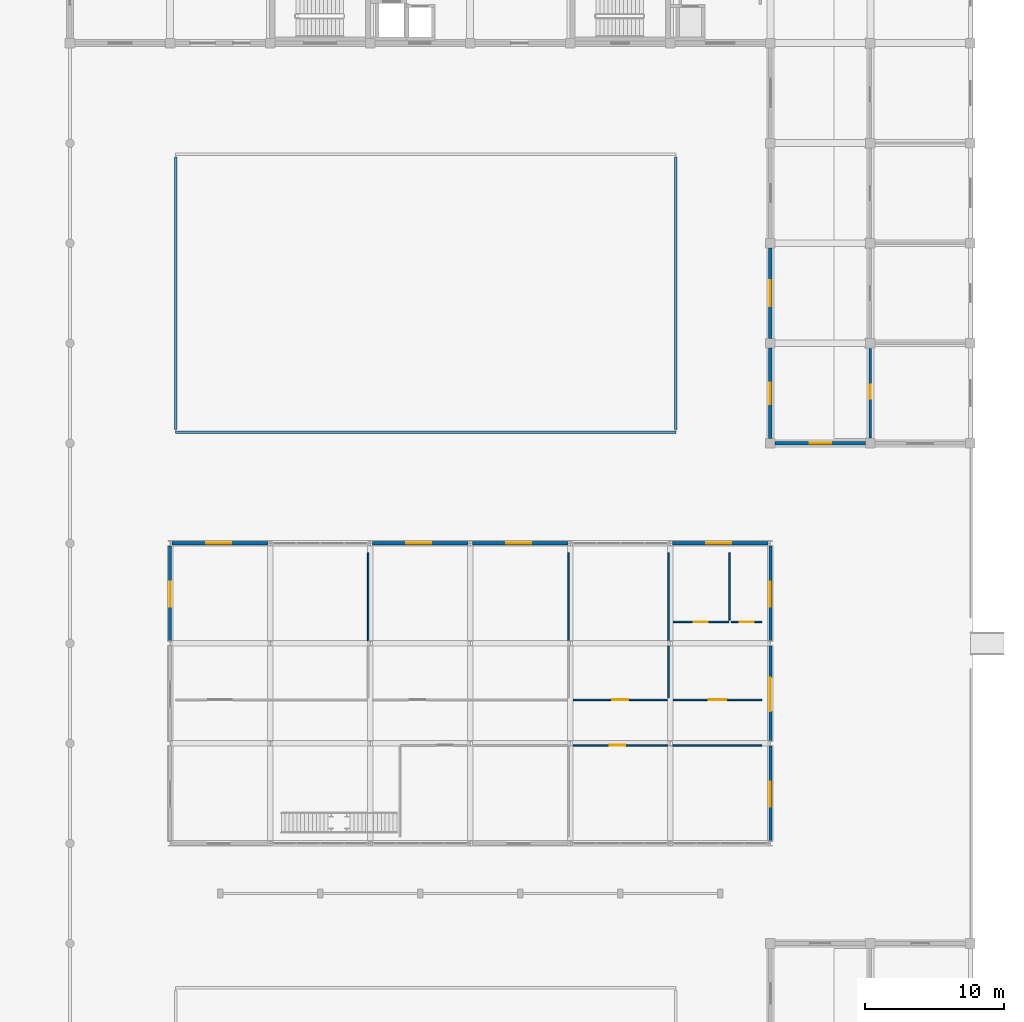
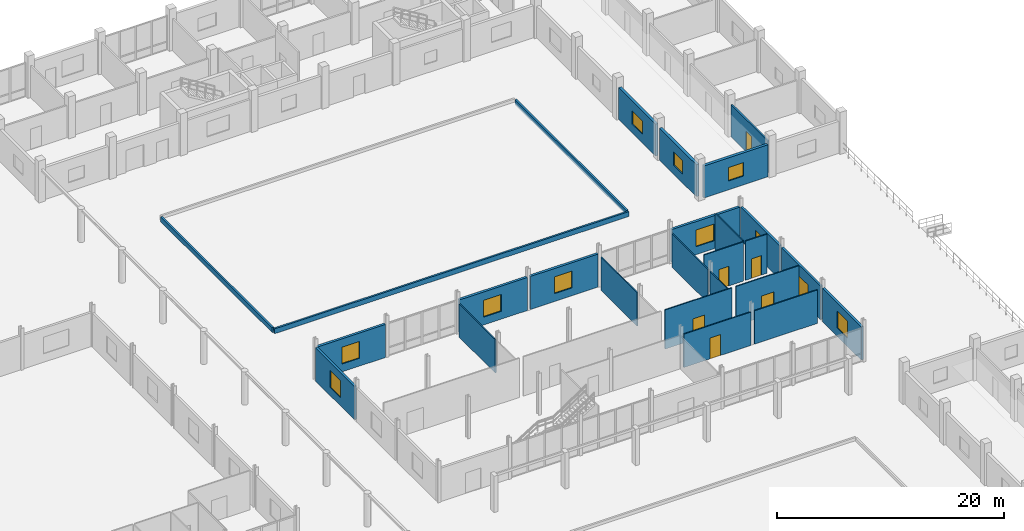
# One storey, part 123 of 139: 26 walls, 10 windows, 7 doors, 17 openings.
"""IFC4 building model written with IfcOpenShell, lengths in metres."""

from ifc_helpers import new_model, si_unit, direction, frame, frame_2d, origin, place, context, subcontext, project, spatial, rectangle, extrude, material, layer, layer_set, type_object, element, fill, save


model = new_model("IFC4")

# Units and contexts
model_context = context("Model", 3, precision=1e-05, world=origin(), true_north=direction((0.0, 1.0)))
body_context = subcontext(model_context, "Body", "Model", "MODEL_VIEW")
ifc_project = project(units=[si_unit("LENGTHUNIT", "METRE"), si_unit("AREAUNIT", "SQUARE_METRE"), si_unit("VOLUMEUNIT", "CUBIC_METRE"), si_unit("PLANEANGLEUNIT", "RADIAN"), si_unit("MASSUNIT", "GRAM", prefix="KILO")], contexts=[model_context])

# Site, building, storey
site_placement = place(None, origin())
site = spatial("IfcSite", under=ifc_project, at=site_placement, CompositionType="ELEMENT")
building_placement = place(site_placement, origin())
building = spatial("IfcBuilding", under=site, at=building_placement, Name="Suanplinth Sawtooth Commons", CompositionType="ELEMENT")
storey_placement = place(building_placement, origin())
storey = spatial("IfcBuildingStorey", under=building, at=storey_placement, Name="L00", CompositionType="ELEMENT", Elevation=0.0)

# Wall, opening, window
ifc_material_1 = material(Name="Precast concrete C40/50", Category="concrete")
ifc_layer_1 = layer(ifc_material_1, 0.280029296875, Name="Insulated precast architectural facade wall 280mm")
ifc_layer_set_1 = layer_set([ifc_layer_1], Name="Precast concrete C40/50")
wall_type_1 = type_object("IfcWallType", Name="W-EX01", PredefinedType="ELEMENTEDWALL", material=ifc_layer_set_1)
wall_1_placement = place(storey_placement, frame((173.14990234375, 79.199951171875, 0.0), z_axis=(0.0, 0.0, 1.0), x_axis=(1.0, 0.0, 0.0)))
wall_1 = element("IfcWall", 1, at=wall_1_placement, inside=storey, type_object=wall_type_1, Name="Facade Wall W-L00-B-S-24-11", PredefinedType="ELEMENTEDWALL", context=body_context, shape_type="SweptSolid", body=[
    extrude(rectangle(XDim=6.5, YDim=0.280029296875, at=frame_2d((3.25, 0.0))), origin(), (0.0, 0.0, 1.0), 3.43505859375),
])
opening_1_placement = place(wall_1_placement, frame((2.47509765625, 0.0, 0.949951171875)))
opening_1 = element("IfcOpeningElement", 2, at=opening_1_placement, cuts=wall_1, Name="Opening W0109", PredefinedType="OPENING", context=body_context, shape_type="SweptSolid", body=[
    extrude(rectangle(XDim=1.550048828125, YDim=1.449951171875, at=frame_2d((0.77490234375, 0.72509765625))), frame((0.0, 0.15478515625, 0.0), z_axis=(0.0, -1.0, 0.0), x_axis=(1.0, 0.0, 0.0)), (0.0, 0.0, 1.0), 0.309814453125),
])
ifc_material_2 = material(Name="Thermally broken aluminium and low-E double glazing", Category="aluminium")
window_type_1 = type_object("IfcWindowType", Name="WN-22", PartitioningType="DOUBLE_PANEL_VERTICAL", PredefinedType="WINDOW", material=ifc_material_2)
window_1_placement = place(opening_1_placement, origin())
window_1 = element("IfcWindow", 3, at=window_1_placement, inside=storey, type_object=window_type_1, Name="Window L00-B-S-24-11", OverallHeight=1.449951171875, OverallWidth=1.550048828125, PartitioningType="DOUBLE_PANEL_VERTICAL", PredefinedType="WINDOW", context=body_context, shape_type="SweptSolid", body=[
    extrude(rectangle(XDim=1.550048828125, YDim=1.449951171875, at=frame_2d((0.77490234375, 0.72509765625))), frame((0.0, 0.030029296875, 0.0), z_axis=(0.0, -1.0, 0.0), x_axis=(1.0, 0.0, 0.0)), (0.0, 0.0, 1.0), 0.06005859375),
])
fill(opening_1, window_1)

wall_2_placement = place(storey_placement, frame((172.800048828125, 79.550048828125, 0.0), z_axis=(0.0, 0.0, 1.0), x_axis=(0.0, 1.0, 0.0)))
wall_2 = element("IfcWall", 4, at=wall_2_placement, inside=storey, type_object=wall_type_1, Name="Facade Wall W-L00-B-W-24-11", PredefinedType="ELEMENTEDWALL", context=body_context, shape_type="SweptSolid", body=[
    extrude(rectangle(XDim=6.5, YDim=0.280029296875, at=frame_2d((3.25, 0.0))), origin(), (0.0, 0.0, 1.0), 3.43505859375),
])
opening_2_placement = place(wall_2_placement, frame((2.47509765625, 0.0, 0.949951171875)))
opening_2 = element("IfcOpeningElement", 5, at=opening_2_placement, cuts=wall_2, Name="Opening W0110", PredefinedType="OPENING", context=body_context, shape_type="SweptSolid", body=[
    extrude(rectangle(XDim=1.550048828125, YDim=1.449951171875, at=frame_2d((0.77490234375, 0.72509765625))), frame((0.0, 0.15478515625, 0.0), z_axis=(0.0, -1.0, 0.0), x_axis=(1.0, 0.0, 0.0)), (0.0, 0.0, 1.0), 0.309814453125),
])
window_2_placement = place(opening_2_placement, origin())
window_2 = element("IfcWindow", 6, at=window_2_placement, inside=storey, type_object=window_type_1, Name="Window L00-B-W-24-11", OverallHeight=1.449951171875, OverallWidth=1.550048828125, PartitioningType="DOUBLE_PANEL_VERTICAL", PredefinedType="WINDOW", context=body_context, shape_type="SweptSolid", body=[
    extrude(rectangle(XDim=1.550048828125, YDim=1.449951171875, at=frame_2d((0.77490234375, 0.72509765625))), frame((0.0, 0.030029296875, 0.0), z_axis=(0.0, -1.0, 0.0), x_axis=(1.0, 0.0, 0.0)), (0.0, 0.0, 1.0), 0.06005859375),
])
fill(opening_2, window_2)

wall_3_placement = place(storey_placement, frame((172.800048828125, 86.75, 0.0), z_axis=(0.0, 0.0, 1.0), x_axis=(0.0, 1.0, 0.0)))
wall_3 = element("IfcWall", 7, at=wall_3_placement, inside=storey, type_object=wall_type_1, Name="Facade Wall W-L00-B-W-24-12", PredefinedType="ELEMENTEDWALL", context=body_context, shape_type="SweptSolid", body=[
    extrude(rectangle(XDim=6.5, YDim=0.280029296875, at=frame_2d((3.25, 0.0))), origin(), (0.0, 0.0, 1.0), 3.43505859375),
])
opening_3_placement = place(wall_3_placement, frame((2.324951171875, 0.0, 0.949951171875)))
opening_3 = element("IfcOpeningElement", 8, at=opening_3_placement, cuts=wall_3, Name="Opening W0111", PredefinedType="OPENING", context=body_context, shape_type="SweptSolid", body=[
    extrude(rectangle(XDim=1.85009765625, YDim=1.39990234375, at=frame_2d((0.925048828125, 0.699951171875))), frame((0.0, 0.15478515625, 0.0), z_axis=(0.0, -1.0, 0.0), x_axis=(1.0, 0.0, 0.0)), (0.0, 0.0, 1.0), 0.309814453125),
])
window_type_2 = type_object("IfcWindowType", Name="WN-23", PartitioningType="DOUBLE_PANEL_VERTICAL", PredefinedType="WINDOW", material=ifc_material_2)
window_3_placement = place(opening_3_placement, origin())
window_3 = element("IfcWindow", 9, at=window_3_placement, inside=storey, type_object=window_type_2, Name="Window L00-B-W-24-12", OverallHeight=1.39990234375, OverallWidth=1.85009765625, PartitioningType="DOUBLE_PANEL_VERTICAL", PredefinedType="WINDOW", context=body_context, shape_type="SweptSolid", body=[
    extrude(rectangle(XDim=1.85009765625, YDim=1.39990234375, at=frame_2d((0.925048828125, 0.699951171875))), frame((0.0, 0.030029296875, 0.0), z_axis=(0.0, -1.0, 0.0), x_axis=(1.0, 0.0, 0.0)), (0.0, 0.0, 1.0), 0.06005859375),
])
fill(opening_3, window_3)

ifc_material_3 = material(Name="Autoclaved aerated concrete masonry", Category="masonry")
ifc_layer_2 = layer(ifc_material_3, 0.25, Name="Rendered AAC tropical cavity wall 250mm")
ifc_layer_set_2 = layer_set([ifc_layer_2], Name="Autoclaved aerated concrete masonry")
wall_type_2 = type_object("IfcWallType", Name="W-EX04", PredefinedType="SOLIDWALL", material=ifc_layer_set_2)
wall_4_placement = place(storey_placement, frame((129.75, 72.0, 0.0), z_axis=(0.0, 0.0, 1.0), x_axis=(1.0, 0.0, 0.0)))
wall_4 = element("IfcWall", 10, at=wall_4_placement, inside=storey, type_object=wall_type_2, Name="Nursery North Wall L00-18", PredefinedType="SOLIDWALL", context=body_context, shape_type="SweptSolid", body=[
    extrude(rectangle(XDim=6.89990234375, YDim=0.25, at=frame_2d((3.449951171875, 0.0))), origin(), (0.0, 0.0, 1.0), 3.550048828125),
])
opening_4_placement = place(wall_4_placement, frame((2.449951171875, 0.0, 0.85009765625)))
opening_4 = element("IfcOpeningElement", 11, at=opening_4_placement, cuts=wall_4, Name="Opening W0026", PredefinedType="OPENING", context=body_context, shape_type="SweptSolid", body=[
    extrude(rectangle(XDim=1.800048828125, YDim=1.800048828125, at=frame_2d((0.89990234375, 0.89990234375))), frame((0.0, 0.139892578125, 0.0), z_axis=(0.0, -1.0, 0.0), x_axis=(1.0, 0.0, 0.0)), (0.0, 0.0, 1.0), 0.27978515625),
])
window_type_3 = type_object("IfcWindowType", Name="WN-07", PartitioningType="DOUBLE_PANEL_VERTICAL", PredefinedType="WINDOW", material=ifc_material_2)
window_4_placement = place(opening_4_placement, origin())
window_4 = element("IfcWindow", 12, at=window_4_placement, inside=storey, type_object=window_type_3, Name="Nursery North Window 18", OverallHeight=1.800048828125, OverallWidth=1.800048828125, PartitioningType="DOUBLE_PANEL_VERTICAL", PredefinedType="WINDOW", context=body_context, shape_type="SweptSolid", body=[
    extrude(rectangle(XDim=1.800048828125, YDim=1.800048828125, at=frame_2d((0.89990234375, 0.89990234375))), frame((0.0, 0.030029296875, 0.0), z_axis=(0.0, -1.0, 0.0), x_axis=(1.0, 0.0, 0.0)), (0.0, 0.0, 1.0), 0.06005859375),
])
fill(opening_4, window_4)

wall_5_placement = place(storey_placement, frame((144.14990234375, 72.0, 0.0), z_axis=(0.0, 0.0, 1.0), x_axis=(1.0, 0.0, 0.0)))
wall_5 = element("IfcWall", 13, at=wall_5_placement, inside=storey, type_object=wall_type_2, Name="Nursery North Wall L00-20", PredefinedType="SOLIDWALL", context=body_context, shape_type="SweptSolid", body=[
    extrude(rectangle(XDim=6.900146484375, YDim=0.25, at=frame_2d((3.4501953125, 0.0))), origin(), (0.0, 0.0, 1.0), 3.550048828125),
])
opening_5_placement = place(wall_5_placement, frame((2.449951171875, 0.0, 0.85009765625)))
opening_5 = element("IfcOpeningElement", 14, at=opening_5_placement, cuts=wall_5, Name="Opening W0031", PredefinedType="OPENING", context=body_context, shape_type="SweptSolid", body=[
    extrude(rectangle(XDim=1.800048828125, YDim=1.800048828125, at=frame_2d((0.89990234375, 0.89990234375))), frame((0.0, 0.139892578125, 0.0), z_axis=(0.0, -1.0, 0.0), x_axis=(1.0, 0.0, 0.0)), (0.0, 0.0, 1.0), 0.27978515625),
])
window_5_placement = place(opening_5_placement, origin())
window_5 = element("IfcWindow", 15, at=window_5_placement, inside=storey, type_object=window_type_3, Name="Nursery North Window 20", OverallHeight=1.800048828125, OverallWidth=1.800048828125, PartitioningType="DOUBLE_PANEL_VERTICAL", PredefinedType="WINDOW", context=body_context, shape_type="SweptSolid", body=[
    extrude(rectangle(XDim=1.800048828125, YDim=1.800048828125, at=frame_2d((0.89990234375, 0.89990234375))), frame((0.0, 0.030029296875, 0.0), z_axis=(0.0, -1.0, 0.0), x_axis=(1.0, 0.0, 0.0)), (0.0, 0.0, 1.0), 0.06005859375),
])
fill(opening_5, window_5)

wall_6_placement = place(storey_placement, frame((151.35009765625, 72.0, 0.0), z_axis=(0.0, 0.0, 1.0), x_axis=(1.0, 0.0, 0.0)))
wall_6 = element("IfcWall", 16, at=wall_6_placement, inside=storey, type_object=wall_type_2, Name="Nursery North Wall L00-21", PredefinedType="SOLIDWALL", context=body_context, shape_type="SweptSolid", body=[
    extrude(rectangle(XDim=6.89990234375, YDim=0.25, at=frame_2d((3.449951171875, 0.0))), origin(), (0.0, 0.0, 1.0), 3.550048828125),
])
opening_6_placement = place(wall_6_placement, frame((2.449951171875, 0.0, 0.85009765625)))
opening_6 = element("IfcOpeningElement", 17, at=opening_6_placement, cuts=wall_6, Name="Opening W0034", PredefinedType="OPENING", context=body_context, shape_type="SweptSolid", body=[
    extrude(rectangle(XDim=1.800048828125, YDim=1.800048828125, at=frame_2d((0.89990234375, 0.89990234375))), frame((0.0, 0.139892578125, 0.0), z_axis=(0.0, -1.0, 0.0), x_axis=(1.0, 0.0, 0.0)), (0.0, 0.0, 1.0), 0.27978515625),
])
window_6_placement = place(opening_6_placement, origin())
window_6 = element("IfcWindow", 18, at=window_6_placement, inside=storey, type_object=window_type_3, Name="Nursery North Window 21", OverallHeight=1.800048828125, OverallWidth=1.800048828125, PartitioningType="DOUBLE_PANEL_VERTICAL", PredefinedType="WINDOW", context=body_context, shape_type="SweptSolid", body=[
    extrude(rectangle(XDim=1.800048828125, YDim=1.800048828125, at=frame_2d((0.89990234375, 0.89990234375))), frame((0.0, 0.030029296875, 0.0), z_axis=(0.0, -1.0, 0.0), x_axis=(1.0, 0.0, 0.0)), (0.0, 0.0, 1.0), 0.06005859375),
])
fill(opening_6, window_6)

wall_7_placement = place(storey_placement, frame((165.75, 72.0, 0.0), z_axis=(0.0, 0.0, 1.0), x_axis=(1.0, 0.0, 0.0)))
wall_7 = element("IfcWall", 19, at=wall_7_placement, inside=storey, type_object=wall_type_2, Name="Nursery North Wall L00-23", PredefinedType="SOLIDWALL", context=body_context, shape_type="SweptSolid", body=[
    extrude(rectangle(XDim=6.89990234375, YDim=0.25, at=frame_2d((3.449951171875, 0.0))), origin(), (0.0, 0.0, 1.0), 3.550048828125),
])
opening_7_placement = place(wall_7_placement, frame((2.449951171875, 0.0, 0.85009765625)))
opening_7 = element("IfcOpeningElement", 20, at=opening_7_placement, cuts=wall_7, Name="Opening W0039", PredefinedType="OPENING", context=body_context, shape_type="SweptSolid", body=[
    extrude(rectangle(XDim=1.800048828125, YDim=1.800048828125, at=frame_2d((0.89990234375, 0.89990234375))), frame((0.0, 0.139892578125, 0.0), z_axis=(0.0, -1.0, 0.0), x_axis=(1.0, 0.0, 0.0)), (0.0, 0.0, 1.0), 0.27978515625),
])
window_7_placement = place(opening_7_placement, origin())
window_7 = element("IfcWindow", 21, at=window_7_placement, inside=storey, type_object=window_type_3, Name="Nursery North Window 23", OverallHeight=1.800048828125, OverallWidth=1.800048828125, PartitioningType="DOUBLE_PANEL_VERTICAL", PredefinedType="WINDOW", context=body_context, shape_type="SweptSolid", body=[
    extrude(rectangle(XDim=1.800048828125, YDim=1.800048828125, at=frame_2d((0.89990234375, 0.89990234375))), frame((0.0, 0.030029296875, 0.0), z_axis=(0.0, -1.0, 0.0), x_axis=(1.0, 0.0, 0.0)), (0.0, 0.0, 1.0), 0.06005859375),
])
fill(opening_7, window_7)

ifc_layer_3 = layer(ifc_material_1, 0.219970703125, Name="Civic pavilion insulated facade wall 220mm")
ifc_layer_set_3 = layer_set([ifc_layer_3], Name="Precast concrete C40/50")
wall_type_3 = type_object("IfcWallType", Name="W-EX05", PredefinedType="ELEMENTEDWALL", material=ifc_layer_set_3)
wall_8_placement = place(storey_placement, frame((172.800048828125, 50.580078125, 0.0), z_axis=(0.0, 0.0, 1.0), x_axis=(0.0, 1.0, 0.0)))
wall_8 = element("IfcWall", 22, at=wall_8_placement, inside=storey, type_object=wall_type_3, Name="Nursery E Wall L00-7", PredefinedType="ELEMENTEDWALL", context=body_context, shape_type="SweptSolid", body=[
    extrude(rectangle(XDim=6.83984375, YDim=0.219970703125, at=frame_2d((3.419921875, 0.0))), origin(), (0.0, 0.0, 1.0), 3.5849609375),
])
opening_8_placement = place(wall_8_placement, frame((2.449951171875, 0.0, 0.89990234375)))
opening_8 = element("IfcOpeningElement", 23, at=opening_8_placement, cuts=wall_8, Name="Opening W0044", PredefinedType="OPENING", context=body_context, shape_type="SweptSolid", body=[
    extrude(rectangle(XDim=1.800048828125, YDim=1.800048828125, at=frame_2d((0.89990234375, 0.89990234375))), frame((0.0, 0.125, 0.0), z_axis=(0.0, -1.0, 0.0), x_axis=(1.0, 0.0, 0.0)), (0.0, 0.0, 1.0), 0.249755859375),
])
window_8_placement = place(opening_8_placement, origin())
window_8 = element("IfcWindow", 24, at=window_8_placement, inside=storey, type_object=window_type_3, Name="Nursery E Window L00-7", OverallHeight=1.800048828125, OverallWidth=1.800048828125, PartitioningType="DOUBLE_PANEL_VERTICAL", PredefinedType="WINDOW", context=body_context, shape_type="SweptSolid", body=[
    extrude(rectangle(XDim=1.800048828125, YDim=1.800048828125, at=frame_2d((0.89990234375, 0.89990234375))), frame((0.0, 0.030029296875, 0.0), z_axis=(0.0, -1.0, 0.0), x_axis=(1.0, 0.0, 0.0)), (0.0, 0.0, 1.0), 0.06005859375),
])
fill(opening_8, window_8)

# Wall, opening, door
wall_9_placement = place(storey_placement, frame((172.800048828125, 57.780029296875, 0.0), z_axis=(0.0, 0.0, 1.0), x_axis=(0.0, 1.0, 0.0)))
wall_9 = element("IfcWall", 25, at=wall_9_placement, inside=storey, type_object=wall_type_3, Name="Nursery E Wall L00-8", PredefinedType="ELEMENTEDWALL", context=body_context, shape_type="SweptSolid", body=[
    extrude(rectangle(XDim=6.840087890625, YDim=0.219970703125, at=frame_2d((3.419921875, 0.0))), origin(), (0.0, 0.0, 1.0), 3.5849609375),
])
opening_9_placement = place(wall_9_placement, frame((2.14990234375, 0.0, 0.0)))
opening_9 = element("IfcOpeningElement", 26, at=opening_9_placement, cuts=wall_9, Name="Opening G0011", PredefinedType="OPENING", context=body_context, shape_type="SweptSolid", body=[
    extrude(rectangle(XDim=2.39990234375, YDim=2.39990234375, at=frame_2d((1.199951171875, 1.199951171875))), frame((0.0, 0.125, 0.0), z_axis=(0.0, -1.0, 0.0), x_axis=(1.0, 0.0, 0.0)), (0.0, 0.0, 1.0), 0.249755859375),
])
ifc_material_4 = material(Name="Powder-coated architectural steel", Category="steel")
door_type_1 = type_object("IfcDoorType", Name="VG-05", OperationType="DOUBLE_DOOR_SINGLE_SWING", PredefinedType="GATE", material=ifc_material_4)
door_1_placement = place(opening_9_placement, frame((2.39990234375, 0.0, 0.0), z_axis=(0.0, 0.0, 1.0), x_axis=(-1.0, 0.0, 0.0)))
door_1 = element("IfcDoor", 27, at=door_1_placement, inside=storey, type_object=door_type_1, Name="Nursery Play-Yard Gate", OperationType="DOUBLE_DOOR_SINGLE_SWING", OverallHeight=2.39990234375, OverallWidth=2.39990234375, PredefinedType="GATE", context=body_context, shape_type="SweptSolid", body=[
    extrude(rectangle(XDim=2.39990234375, YDim=2.39990234375, at=frame_2d((1.199951171875, 1.199951171875))), frame((0.0, 0.02490234375, 0.0), z_axis=(0.0, -1.0, 0.0), x_axis=(1.0, 0.0, 0.0)), (0.0, 0.0, 1.0), 0.050048828125),
])
fill(opening_9, door_1)

# Wall, opening, window
wall_10_placement = place(storey_placement, frame((129.60009765625, 64.97998046875, 0.0), z_axis=(0.0, 0.0, 1.0), x_axis=(0.0, 1.0, 0.0)))
wall_10 = element("IfcWall", 28, at=wall_10_placement, inside=storey, type_object=wall_type_3, Name="Nursery W Wall L00-9", PredefinedType="ELEMENTEDWALL", context=body_context, shape_type="SweptSolid", body=[
    extrude(rectangle(XDim=6.840087890625, YDim=0.219970703125, at=frame_2d((3.419921875, 0.0))), origin(), (0.0, 0.0, 1.0), 3.5849609375),
])
opening_10_placement = place(wall_10_placement, frame((2.449951171875, 0.0, 0.89990234375)))
opening_10 = element("IfcOpeningElement", 29, at=opening_10_placement, cuts=wall_10, Name="Opening W0049", PredefinedType="OPENING", context=body_context, shape_type="SweptSolid", body=[
    extrude(rectangle(XDim=1.800048828125, YDim=1.800048828125, at=frame_2d((0.89990234375, 0.89990234375))), frame((0.0, 0.125, 0.0), z_axis=(0.0, -1.0, 0.0), x_axis=(1.0, 0.0, 0.0)), (0.0, 0.0, 1.0), 0.249755859375),
])
window_9_placement = place(opening_10_placement, origin())
window_9 = element("IfcWindow", 30, at=window_9_placement, inside=storey, type_object=window_type_3, Name="Nursery W Window L00-9", OverallHeight=1.800048828125, OverallWidth=1.800048828125, PartitioningType="DOUBLE_PANEL_VERTICAL", PredefinedType="WINDOW", context=body_context, shape_type="SweptSolid", body=[
    extrude(rectangle(XDim=1.800048828125, YDim=1.800048828125, at=frame_2d((0.89990234375, 0.89990234375))), frame((0.0, 0.030029296875, 0.0), z_axis=(0.0, -1.0, 0.0), x_axis=(1.0, 0.0, 0.0)), (0.0, 0.0, 1.0), 0.06005859375),
])
fill(opening_10, window_9)

wall_11_placement = place(storey_placement, frame((172.800048828125, 64.97998046875, 0.0), z_axis=(0.0, 0.0, 1.0), x_axis=(0.0, 1.0, 0.0)))
wall_11 = element("IfcWall", 31, at=wall_11_placement, inside=storey, type_object=wall_type_3, Name="Nursery E Wall L00-9", PredefinedType="ELEMENTEDWALL", context=body_context, shape_type="SweptSolid", body=[
    extrude(rectangle(XDim=6.840087890625, YDim=0.219970703125, at=frame_2d((3.419921875, 0.0))), origin(), (0.0, 0.0, 1.0), 3.5849609375),
])
opening_11_placement = place(wall_11_placement, frame((2.449951171875, 0.0, 0.89990234375)))
opening_11 = element("IfcOpeningElement", 32, at=opening_11_placement, cuts=wall_11, Name="Opening W0051", PredefinedType="OPENING", context=body_context, shape_type="SweptSolid", body=[
    extrude(rectangle(XDim=1.800048828125, YDim=1.800048828125, at=frame_2d((0.89990234375, 0.89990234375))), frame((0.0, 0.125, 0.0), z_axis=(0.0, -1.0, 0.0), x_axis=(1.0, 0.0, 0.0)), (0.0, 0.0, 1.0), 0.249755859375),
])
window_10_placement = place(opening_11_placement, origin())
window_10 = element("IfcWindow", 33, at=window_10_placement, inside=storey, type_object=window_type_3, Name="Nursery E Window L00-9", OverallHeight=1.800048828125, OverallWidth=1.800048828125, PartitioningType="DOUBLE_PANEL_VERTICAL", PredefinedType="WINDOW", context=body_context, shape_type="SweptSolid", body=[
    extrude(rectangle(XDim=1.800048828125, YDim=1.800048828125, at=frame_2d((0.89990234375, 0.89990234375))), frame((0.0, 0.030029296875, 0.0), z_axis=(0.0, -1.0, 0.0), x_axis=(1.0, 0.0, 0.0)), (0.0, 0.0, 1.0), 0.06005859375),
])
fill(opening_11, window_10)

# Wall, opening, door
ifc_layer_4 = layer(ifc_material_1, 0.159912109375, Name="Fire-rated corridor and lobby wall 160mm")
ifc_layer_set_4 = layer_set([ifc_layer_4], Name="Precast concrete C40/50")
wall_type_4 = type_object("IfcWallType", Name="W-FW01", PredefinedType="PARTITIONING", material=ifc_layer_set_4)
wall_12_placement = place(storey_placement, frame((180.0, 79.580078125, 0.0), z_axis=(0.0, 0.0, 1.0), x_axis=(0.0, 1.0, 0.0)))
wall_12 = element("IfcWall", 34, at=wall_12_placement, inside=storey, type_object=wall_type_4, Name="W-B-L00-GROUNDROOM-25-COR", PredefinedType="PARTITIONING", context=body_context, shape_type="SweptSolid", body=[
    extrude(rectangle(XDim=6.43994140625, YDim=0.159912109375, at=frame_2d((3.219970703125, 0.0))), origin(), (0.0, 0.0, 1.0), 3.43505859375),
])
opening_12_placement = place(wall_12_placement, frame((2.820068359375, 0.0, 0.0)))
opening_12 = element("IfcOpeningElement", 35, at=opening_12_placement, cuts=wall_12, Name="Opening FD0495", PredefinedType="OPENING", context=body_context, shape_type="SweptSolid", body=[
    extrude(rectangle(XDim=1.0, YDim=2.14990234375, at=frame_2d((0.5, 1.074951171875))), frame((0.0, 0.0947265625, 0.0), z_axis=(0.0, -1.0, 0.0), x_axis=(1.0, 0.0, 0.0)), (0.0, 0.0, 1.0), 0.189697265625),
])
ifc_material_5 = material(Name="Teak hardwood fire-rated door assembly", Category="wood")
door_type_2 = type_object("IfcDoorType", Name="FD-03", OperationType="NOTDEFINED", PredefinedType="DOOR", material=ifc_material_5)
door_2_placement = place(opening_12_placement, frame((1.0, 0.0, 0.0), z_axis=(0.0, 0.0, 1.0), x_axis=(-1.0, 0.0, 0.0)))
door_2 = element("IfcDoor", 36, at=door_2_placement, inside=storey, type_object=door_type_2, Name="Wing Unit Entrance Door FD0495", OperationType="SINGLE_SWING_LEFT", OverallHeight=2.14990234375, OverallWidth=1.0, PredefinedType="DOOR", context=body_context, shape_type="SweptSolid", body=[
    extrude(rectangle(XDim=1.0, YDim=2.14990234375, at=frame_2d((0.5, 1.074951171875))), frame((0.0, 0.02490234375, 0.0), z_axis=(0.0, -1.0, 0.0), x_axis=(1.0, 0.0, 0.0)), (0.0, 0.0, 1.0), 0.050048828125),
])
fill(opening_12, door_2)

# Walls
ifc_layer_5 = layer(ifc_material_1, 0.179931640625, Name="Terrace & courtyard planter kerb wall 180mm")
ifc_layer_set_5 = layer_set([ifc_layer_5], Name="Precast concrete C40/50")
wall_type_5 = type_object("IfcWallType", Name="W-PR02", PredefinedType="PARAPET", material=ifc_layer_set_5)
wall_13_placement = place(storey_placement, frame((130.0, 80.0, 0.0), z_axis=(0.0, 0.0, 1.0), x_axis=(1.0, 0.0, 0.0)))
element("IfcWall", 37, at=wall_13_placement, inside=storey, type_object=wall_type_5, Name="North-East Courtyard Banyan Shade Garden Kerb S", PredefinedType="PARAPET", context=body_context, shape_type="SweptSolid", body=[
    extrude(rectangle(XDim=36.0, YDim=0.179931640625, at=frame_2d((18.0, 0.0))), origin(), (0.0, 0.0, 1.0), 0.52001953125),
])
for number, where, z_axis, x_axis, name in (
    (38, (130.0, 80.179931640625, 0.0), (0.0, 0.0, 1.0), (0.0, 1.0, 0.0), "North-East Courtyard Banyan Shade Garden Kerb W"),
    (39, (166.0, 80.179931640625, 0.0), (0.0, 0.0, 1.0), (0.0, 1.0, 0.0), "North-East Courtyard Banyan Shade Garden Kerb E"),
):
    element("IfcWall", number, at=place(storey_placement, frame(where, z_axis=z_axis, x_axis=x_axis)), inside=storey, type_object=wall_type_5, Name=name, PredefinedType="PARAPET", context=body_context, shape_type="SweptSolid", body=[
        extrude(rectangle(XDim=19.64013671875, YDim=0.179931640625, at=frame_2d((9.820068359375, 0.0))), origin(), (0.0, 0.0, 1.0), 0.52001953125),
    ])

# Wall, opening, door
ifc_material_6 = material(Name="Gypsum plasterboard on steel stud", Category="steel")
ifc_layer_6 = layer(ifc_material_6, 0.110107421875, Name="Civic classroom and clinic partition 110mm")
ifc_layer_set_6 = layer_set([ifc_layer_6], Name="Gypsum plasterboard on steel stud")
wall_type_6 = type_object("IfcWallType", Name="W-PT04", PredefinedType="PARTITIONING", material=ifc_layer_set_6)
wall_14_placement = place(storey_placement, frame((158.60009765625, 57.4599609375, 0.0), z_axis=(0.0, 0.0, 1.0), x_axis=(1.0, 0.0, 0.0)))
wall_14 = element("IfcWall", 40, at=wall_14_placement, inside=storey, type_object=wall_type_6, Name="W-L00-NURS-TOD2-N-S1", PredefinedType="PARTITIONING", context=body_context, shape_type="SweptSolid", body=[
    extrude(rectangle(XDim=6.81982421875, YDim=0.110107421875, at=frame_2d((3.409912109375, 0.0))), origin(), (0.0, 0.0, 1.0), 3.5849609375),
])
opening_13_placement = place(wall_14_placement, frame((2.64990234375, 0.0, 0.0)))
opening_13 = element("IfcOpeningElement", 41, at=opening_13_placement, cuts=wall_14, Name="Opening D0444", PredefinedType="OPENING", context=body_context, shape_type="SweptSolid", body=[
    extrude(rectangle(XDim=1.10009765625, YDim=2.25, at=frame_2d((0.550048828125, 1.125))), frame((0.0, 0.06982421875, 0.0), z_axis=(0.0, -1.0, 0.0), x_axis=(1.0, 0.0, 0.0)), (0.0, 0.0, 1.0), 0.139892578125),
])
ifc_material_7 = material(Name="Teak hardwood", Category="wood")
door_type_3 = type_object("IfcDoorType", Name="D-06", OperationType="NOTDEFINED", PredefinedType="DOOR", material=ifc_material_7)
door_3_placement = place(opening_13_placement, frame((1.10009765625, 0.0, 0.0), z_axis=(0.0, 0.0, 1.0), x_axis=(-1.0, 0.0, 0.0)))
door_3 = element("IfcDoor", 42, at=door_3_placement, inside=storey, type_object=door_type_3, Name="Civic Room Door D0444", OperationType="SINGLE_SWING_RIGHT", OverallHeight=2.25, OverallWidth=1.10009765625, PredefinedType="DOOR", context=body_context, shape_type="SweptSolid", body=[
    extrude(rectangle(XDim=1.10009765625, YDim=2.25, at=frame_2d((0.550048828125, 1.125))), frame((0.0, 0.02490234375, 0.0), z_axis=(0.0, -1.0, 0.0), x_axis=(1.0, 0.0, 0.0)), (0.0, 0.0, 1.0), 0.050048828125),
])
fill(opening_13, door_3)

# Walls
wall_15_placement = place(storey_placement, frame((165.780029296875, 57.4599609375, 0.0), z_axis=(0.0, 0.0, 1.0), x_axis=(1.0, 0.0, 0.0)))
element("IfcWall", 43, at=wall_15_placement, inside=storey, type_object=wall_type_6, Name="W-L00-NURS-TOD2-N-S2", PredefinedType="PARTITIONING", context=body_context, shape_type="SweptSolid", body=[
    extrude(rectangle(XDim=6.419921875, YDim=0.110107421875, at=frame_2d((3.2099609375, 0.0))), origin(), (0.0, 0.0, 1.0), 3.5849609375),
])
for number, where, z_axis, x_axis, name in (
    (44, (143.860107421875, 64.97998046875, 0.0), (0.0, 0.0, 1.0), (0.0, 1.0, 0.0), "W-L00-NURS-PRE1-E-S2"),
    (45, (158.260009765625, 64.97998046875, 0.0), (0.0, 0.0, 1.0), (0.0, 1.0, 0.0), "W-L00-NURS-PRE2-E-S2"),
):
    element("IfcWall", number, at=place(storey_placement, frame(where, z_axis=z_axis, x_axis=x_axis)), inside=storey, type_object=wall_type_6, Name=name, PredefinedType="PARTITIONING", context=body_context, shape_type="SweptSolid", body=[
        extrude(rectangle(XDim=6.340087890625, YDim=0.110107421875, at=frame_2d((3.169921875, 0.0))), origin(), (0.0, 0.0, 1.0), 3.5849609375),
    ])

# Wall, opening, door
wall_16_placement = place(storey_placement, frame((158.60009765625, 60.739990234375, 0.0), z_axis=(0.0, 0.0, 1.0), x_axis=(1.0, 0.0, 0.0)))
wall_16 = element("IfcWall", 46, at=wall_16_placement, inside=storey, type_object=wall_type_6, Name="W-L00-NURS-NAP-S", PredefinedType="PARTITIONING", context=body_context, shape_type="SweptSolid", body=[
    extrude(rectangle(XDim=6.7998046875, YDim=0.110107421875, at=frame_2d((3.39990234375, 0.0))), origin(), (0.0, 0.0, 1.0), 4.199951171875),
])
opening_14_placement = place(wall_16_placement, frame((2.81005859375, 0.0, 0.0)))
opening_14 = element("IfcOpeningElement", 47, at=opening_14_placement, cuts=wall_16, Name="Opening D0447", PredefinedType="OPENING", context=body_context, shape_type="SweptSolid", body=[
    extrude(rectangle(XDim=1.179931640625, YDim=2.25, at=frame_2d((0.58984375, 1.125))), frame((0.0, 0.06982421875, 0.0), z_axis=(0.0, -1.0, 0.0), x_axis=(1.0, 0.0, 0.0)), (0.0, 0.0, 1.0), 0.139892578125),
])
door_type_4 = type_object("IfcDoorType", Name="D-20", OperationType="NOTDEFINED", PredefinedType="DOOR", material=ifc_material_7)
door_4_placement = place(opening_14_placement, origin())
door_4 = element("IfcDoor", 48, at=door_4_placement, inside=storey, type_object=door_type_4, Name="Civic Room Door D0447", OperationType="SINGLE_SWING_RIGHT", OverallHeight=2.25, OverallWidth=1.179931640625, PredefinedType="DOOR", context=body_context, shape_type="SweptSolid", body=[
    extrude(rectangle(XDim=1.179931640625, YDim=2.25, at=frame_2d((0.58984375, 1.125))), frame((0.0, 0.02490234375, 0.0), z_axis=(0.0, -1.0, 0.0), x_axis=(1.0, 0.0, 0.0)), (0.0, 0.0, 1.0), 0.050048828125),
])
fill(opening_14, door_4)

# Walls
wall_17_placement = place(storey_placement, frame((165.4599609375, 60.8798828125, 0.0), z_axis=(0.0, 0.0, 1.0), x_axis=(0.0, 1.0, 0.0)))
element("IfcWall", 49, at=wall_17_placement, inside=storey, type_object=wall_type_6, Name="W-L00-NURS-NAP-E-S1", PredefinedType="PARTITIONING", context=body_context, shape_type="SweptSolid", body=[
    extrude(rectangle(XDim=3.740234375, YDim=0.110107421875, at=frame_2d((1.8701171875, 0.0))), origin(), (0.0, 0.0, 1.0), 3.5849609375),
])
wall_18_placement = place(storey_placement, frame((165.4599609375, 64.97998046875, 0.0), z_axis=(0.0, 0.0, 1.0), x_axis=(0.0, 1.0, 0.0)))
element("IfcWall", 50, at=wall_18_placement, inside=storey, type_object=wall_type_6, Name="W-L00-NURS-NAP-E-S2", PredefinedType="PARTITIONING", context=body_context, shape_type="SweptSolid", body=[
    extrude(rectangle(XDim=6.340087890625, YDim=0.110107421875, at=frame_2d((3.169921875, 0.0))), origin(), (0.0, 0.0, 1.0), 3.5849609375),
])

# Wall, opening, door
wall_19_placement = place(storey_placement, frame((165.800048828125, 60.739990234375, 0.0), z_axis=(0.0, 0.0, 1.0), x_axis=(1.0, 0.0, 0.0)))
wall_19 = element("IfcWall", 51, at=wall_19_placement, inside=storey, type_object=wall_type_6, Name="W-L00-NURS-MILK-S", PredefinedType="PARTITIONING", context=body_context, shape_type="SweptSolid", body=[
    extrude(rectangle(XDim=6.39990234375, YDim=0.110107421875, at=frame_2d((3.199951171875, 0.0))), origin(), (0.0, 0.0, 1.0), 4.199951171875),
])
opening_15_placement = place(wall_19_placement, frame((2.56005859375, 0.0, 0.0)))
opening_15 = element("IfcOpeningElement", 52, at=opening_15_placement, cuts=wall_19, Name="Opening D0448", PredefinedType="OPENING", context=body_context, shape_type="SweptSolid", body=[
    extrude(rectangle(XDim=1.280029296875, YDim=2.280029296875, at=frame_2d((0.64013671875, 1.14013671875))), frame((0.0, 0.06982421875, 0.0), z_axis=(0.0, -1.0, 0.0), x_axis=(1.0, 0.0, 0.0)), (0.0, 0.0, 1.0), 0.139892578125),
])
door_type_5 = type_object("IfcDoorType", Name="D-21", OperationType="NOTDEFINED", PredefinedType="DOOR", material=ifc_material_7)
door_5_placement = place(opening_15_placement, origin())
door_5 = element("IfcDoor", 53, at=door_5_placement, inside=storey, type_object=door_type_5, Name="Civic Room Door D0448", OperationType="SINGLE_SWING_LEFT", OverallHeight=2.280029296875, OverallWidth=1.280029296875, PredefinedType="DOOR", context=body_context, shape_type="SweptSolid", body=[
    extrude(rectangle(XDim=1.280029296875, YDim=2.280029296875, at=frame_2d((0.64013671875, 1.14013671875))), frame((0.0, 0.02490234375, 0.0), z_axis=(0.0, -1.0, 0.0), x_axis=(1.0, 0.0, 0.0)), (0.0, 0.0, 1.0), 0.050048828125),
])
fill(opening_15, door_5)

wall_20_placement = place(storey_placement, frame((165.800048828125, 66.340087890625, 0.0), z_axis=(0.0, 0.0, 1.0), x_axis=(1.0, 0.0, 0.0)))
wall_20 = element("IfcWall", 54, at=wall_20_placement, inside=storey, type_object=wall_type_6, Name="W-L00-NURS-WCKID-S", PredefinedType="PARTITIONING", context=body_context, shape_type="SweptSolid", body=[
    extrude(rectangle(XDim=4.0, YDim=0.110107421875, at=frame_2d((2.0, 0.0))), origin(), (0.0, 0.0, 1.0), 4.199951171875),
])
opening_16_placement = place(wall_20_placement, frame((1.5, 0.0, 0.0)))
opening_16 = element("IfcOpeningElement", 55, at=opening_16_placement, cuts=wall_20, Name="Opening D0449", PredefinedType="OPENING", context=body_context, shape_type="SweptSolid", body=[
    extrude(rectangle(XDim=1.0, YDim=2.10009765625, at=frame_2d((0.5, 1.050048828125))), frame((0.0, 0.06982421875, 0.0), z_axis=(0.0, -1.0, 0.0), x_axis=(1.0, 0.0, 0.0)), (0.0, 0.0, 1.0), 0.139892578125),
])
door_type_6 = type_object("IfcDoorType", Name="D-04", OperationType="NOTDEFINED", PredefinedType="DOOR", material=ifc_material_7)
door_6_placement = place(opening_16_placement, origin())
door_6 = element("IfcDoor", 56, at=door_6_placement, inside=storey, type_object=door_type_6, Name="Civic Room Door D0449", OperationType="SINGLE_SWING_RIGHT", OverallHeight=2.10009765625, OverallWidth=1.0, PredefinedType="DOOR", context=body_context, shape_type="SweptSolid", body=[
    extrude(rectangle(XDim=1.0, YDim=2.10009765625, at=frame_2d((0.5, 1.050048828125))), frame((0.0, 0.02490234375, 0.0), z_axis=(0.0, -1.0, 0.0), x_axis=(1.0, 0.0, 0.0)), (0.0, 0.0, 1.0), 0.050048828125),
])
fill(opening_16, door_6)

# Wall
wall_21_placement = place(storey_placement, frame((169.860107421875, 66.47998046875, 0.0), z_axis=(0.0, 0.0, 1.0), x_axis=(0.0, 1.0, 0.0)))
element("IfcWall", 57, at=wall_21_placement, inside=storey, type_object=wall_type_6, Name="W-L00-NURS-WCKID-E", PredefinedType="PARTITIONING", context=body_context, shape_type="SweptSolid", body=[
    extrude(rectangle(XDim=4.840087890625, YDim=0.110107421875, at=frame_2d((2.419921875, 0.0))), origin(), (0.0, 0.0, 1.0), 4.199951171875),
])

# Wall, opening, door
wall_22_placement = place(storey_placement, frame((170.0, 66.340087890625, 0.0), z_axis=(0.0, 0.0, 1.0), x_axis=(1.0, 0.0, 0.0)))
wall_22 = element("IfcWall", 58, at=wall_22_placement, inside=storey, type_object=wall_type_6, Name="W-L00-NURS-WCACC-S", PredefinedType="PARTITIONING", context=body_context, shape_type="SweptSolid", body=[
    extrude(rectangle(XDim=2.199951171875, YDim=0.110107421875, at=frame_2d((1.10009765625, 0.0))), origin(), (0.0, 0.0, 1.0), 4.199951171875),
])
opening_17_placement = place(wall_22_placement, frame((0.60009765625, 0.0, 0.0)))
opening_17 = element("IfcOpeningElement", 59, at=opening_17_placement, cuts=wall_22, Name="Opening D0450", PredefinedType="OPENING", context=body_context, shape_type="SweptSolid", body=[
    extrude(rectangle(XDim=1.0, YDim=2.10009765625, at=frame_2d((0.5, 1.050048828125))), frame((0.0, 0.06982421875, 0.0), z_axis=(0.0, -1.0, 0.0), x_axis=(1.0, 0.0, 0.0)), (0.0, 0.0, 1.0), 0.139892578125),
])
door_7_placement = place(opening_17_placement, origin())
door_7 = element("IfcDoor", 60, at=door_7_placement, inside=storey, type_object=door_type_6, Name="Civic Room Door D0450", OperationType="SINGLE_SWING_LEFT", OverallHeight=2.10009765625, OverallWidth=1.0, PredefinedType="DOOR", context=body_context, shape_type="SweptSolid", body=[
    extrude(rectangle(XDim=1.0, YDim=2.10009765625, at=frame_2d((0.5, 1.050048828125))), frame((0.0, 0.02490234375, 0.0), z_axis=(0.0, -1.0, 0.0), x_axis=(1.0, 0.0, 0.0)), (0.0, 0.0, 1.0), 0.050048828125),
])
fill(opening_17, door_7)

save(model, "model.ifc")
